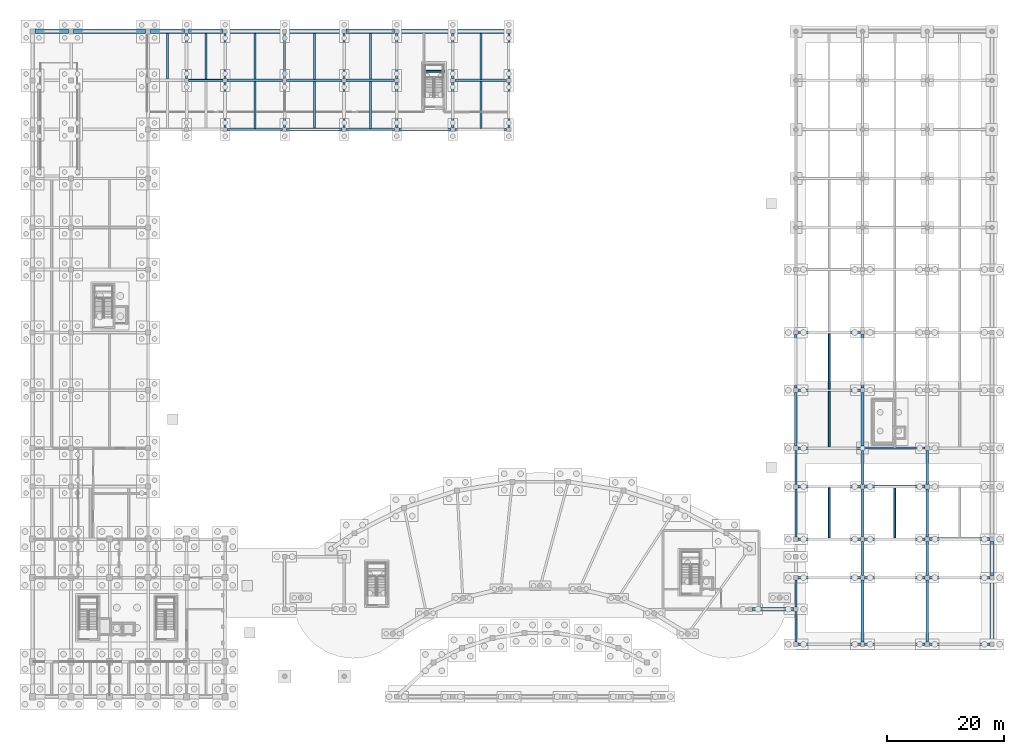
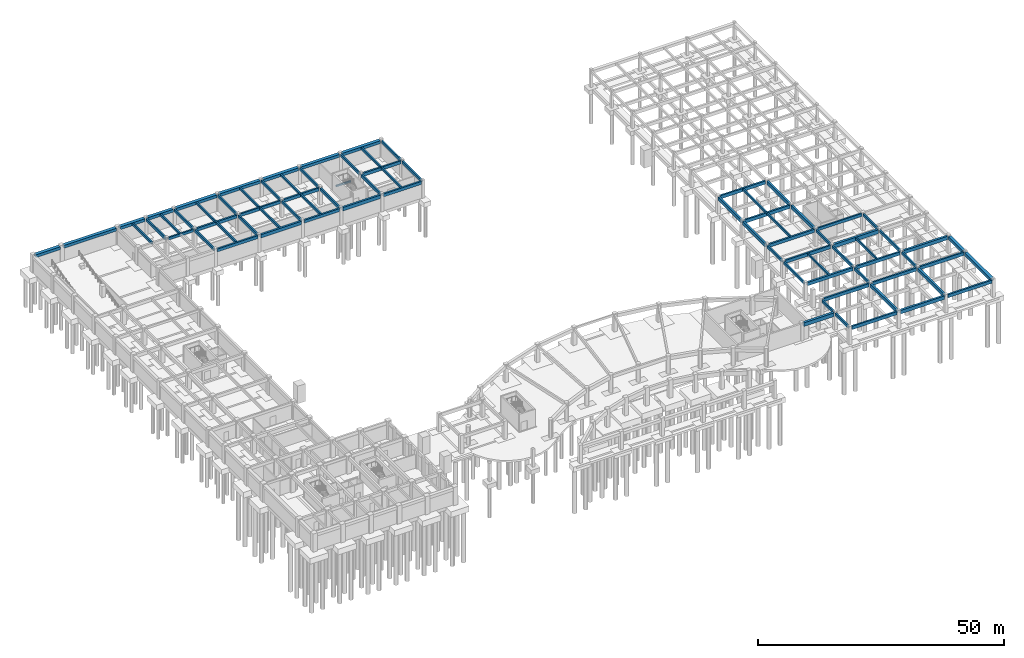
# One storey, part 12 of 28: 81 beams.
"""IFC4 building model written with IfcOpenShell, lengths in metres."""

from ifc_helpers import new_model, si_unit, direction, frame, origin, origin_2d, place, context, subcontext, project, spatial, rectangle, extrude, material, material_profile, profile_set, type_object, element, save


model = new_model("IFC4")

# Units and contexts
model_context = context("Model", 3, precision=1e-05, world=origin(), true_north=direction((0.0, 1.0)))
body_context = subcontext(model_context, "Body", "Model", "MODEL_VIEW")
ifc_project = project(units=[si_unit("LENGTHUNIT", "METRE"), si_unit("AREAUNIT", "SQUARE_METRE"), si_unit("VOLUMEUNIT", "CUBIC_METRE"), si_unit("PLANEANGLEUNIT", "RADIAN"), si_unit("MASSUNIT", "GRAM", prefix="KILO")], contexts=[model_context])

# Site, building, storey
site_placement = place(None, origin())
site = spatial("IfcSite", under=ifc_project, at=site_placement, CompositionType="ELEMENT")
building_placement = place(site_placement, origin())
building = spatial("IfcBuilding", under=site, at=building_placement, Name="Miralva Faculty of Natural Sciences", CompositionType="ELEMENT")
storey_placement = place(building_placement, frame((0.0, 0.0, -4.5)))
storey = spatial("IfcBuildingStorey", under=building, at=storey_placement, Name="B1", CompositionType="ELEMENT", Elevation=-4.5)

# Beams
ifc_material = material(Name="Concrete C40/50", Category="concrete")
ifc_material_profile_1 = material_profile(ifc_material, rectangle(XDim=0.449951171875, YDim=0.85009765625, at=origin_2d()), Name="RC 450x850")
ifc_profile_set_1 = profile_set([ifc_material_profile_1], Name="Concrete C40/50")
beam_type_1 = type_object("IfcBeamType", Name="BM-B01", PredefinedType="BEAM", material=ifc_profile_set_1)
for number, where, z_axis, x_axis, name in (
    (1, (133.800048828125, 45.97509765625, 3.794921875), (0.0, 1.0, 0.0), (-1.0, 0.0, 0.0), "Girder NS B1-176"),
    (2, (133.800048828125, 55.875, 3.794921875), (0.0, 1.0, 0.0), (-1.0, 0.0, 0.0), "Girder NS B1-177"),
):
    element("IfcBeam", number, at=place(storey_placement, frame(where, z_axis=z_axis, x_axis=x_axis)), inside=storey, type_object=beam_type_1, Name=name, PredefinedType="BEAM", context=body_context, shape_type="SweptSolid", body=[
        extrude(rectangle(XDim=0.449951171875, YDim=0.85009765625, at=origin_2d()), origin(), (0.0, 0.0, 1.0), 9.14990234375),
    ])
beam_1_placement = place(storey_placement, frame((145.199951171875, 12.375, 3.794921875), z_axis=(0.0, 1.0, 0.0), x_axis=(-1.0, 0.0, 0.0)))
element("IfcBeam", 3, at=beam_1_placement, inside=storey, type_object=beam_type_1, Name="Girder NS B1-184", PredefinedType="BEAM", context=body_context, shape_type="SweptSolid", body=[
    extrude(rectangle(XDim=0.449951171875, YDim=0.85009765625, at=origin_2d()), origin(), (0.0, 0.0, 1.0), 10.64990234375),
])
for number, where, z_axis, x_axis, name in (
    (4, (145.199951171875, 45.97509765625, 3.794921875), (0.0, 1.0, 0.0), (-1.0, 0.0, 0.0), "Girder NS B1-188"),
    (5, (145.199951171875, 55.875, 3.794921875), (0.0, 1.0, 0.0), (-1.0, 0.0, 0.0), "Girder NS B1-189"),
):
    element("IfcBeam", number, at=place(storey_placement, frame(where, z_axis=z_axis, x_axis=x_axis)), inside=storey, type_object=beam_type_1, Name=name, PredefinedType="BEAM", context=body_context, shape_type="SweptSolid", body=[
        extrude(rectangle(XDim=0.449951171875, YDim=0.85009765625, at=origin_2d()), origin(), (0.0, 0.0, 1.0), 9.14990234375),
    ])
beam_2_placement = place(storey_placement, frame((156.300048828125, 12.375, 3.794921875), z_axis=(0.0, 1.0, 0.0), x_axis=(-1.0, 0.0, 0.0)))
element("IfcBeam", 6, at=beam_2_placement, inside=storey, type_object=beam_type_1, Name="Girder NS B1-196", PredefinedType="BEAM", context=body_context, shape_type="SweptSolid", body=[
    extrude(rectangle(XDim=0.449951171875, YDim=0.85009765625, at=origin_2d()), origin(), (0.0, 0.0, 1.0), 10.64990234375),
])
ifc_material_profile_2 = material_profile(ifc_material, rectangle(XDim=0.39990234375, YDim=0.800048828125, at=origin_2d()), Name="RC 400x800")
ifc_profile_set_2 = profile_set([ifc_material_profile_2], Name="Concrete C40/50")
beam_type_2 = type_object("IfcBeamType", Name="BM-B02", PredefinedType="BEAM", material=ifc_profile_set_2)
beam_3_placement = place(storey_placement, frame((134.175048828125, 12.0, 3.820068359375), z_axis=(1.0, 0.0, 0.0), x_axis=(0.0, 1.0, 0.0)))
element("IfcBeam", 7, at=beam_3_placement, inside=storey, type_object=beam_type_2, Name="Girder EW B1-16", PredefinedType="BEAM", context=body_context, shape_type="SweptSolid", body=[
    extrude(rectangle(XDim=0.39990234375, YDim=0.800048828125, at=origin_2d()), origin(), (0.0, 0.0, 1.0), 10.64990234375),
])
beam_4_placement = place(storey_placement, frame((156.675048828125, 12.0, 3.820068359375), z_axis=(1.0, 0.0, 0.0), x_axis=(0.0, 1.0, 0.0)))
element("IfcBeam", 8, at=beam_4_placement, inside=storey, type_object=beam_type_2, Name="Girder EW B1-18", PredefinedType="BEAM", context=body_context, shape_type="SweptSolid", body=[
    extrude(rectangle(XDim=0.39990234375, YDim=0.800048828125, at=origin_2d()), origin(), (0.0, 0.0, 1.0), 10.349853515625),
])
beam_5_placement = place(storey_placement, frame((134.175048828125, 23.39990234375, 3.820068359375), z_axis=(1.0, 0.0, 0.0), x_axis=(0.0, 1.0, 0.0)))
element("IfcBeam", 9, at=beam_5_placement, inside=storey, type_object=beam_type_2, Name="Girder EW B1-28", PredefinedType="BEAM", context=body_context, shape_type="SweptSolid", body=[
    extrude(rectangle(XDim=0.39990234375, YDim=0.800048828125, at=origin_2d()), origin(), (0.0, 0.0, 1.0), 10.64990234375),
])
beam_6_placement = place(storey_placement, frame((156.675048828125, 23.39990234375, 3.820068359375), z_axis=(1.0, 0.0, 0.0), x_axis=(0.0, 1.0, 0.0)))
element("IfcBeam", 10, at=beam_6_placement, inside=storey, type_object=beam_type_2, Name="Girder EW B1-30", PredefinedType="BEAM", context=body_context, shape_type="SweptSolid", body=[
    extrude(rectangle(XDim=0.39990234375, YDim=0.800048828125, at=origin_2d()), origin(), (0.0, 0.0, 1.0), 10.349853515625),
])
beam_7_placement = place(storey_placement, frame((145.574951171875, 30.0, 3.820068359375), z_axis=(1.0, 0.0, 0.0), x_axis=(0.0, 1.0, 0.0)))
element("IfcBeam", 11, at=beam_7_placement, inside=storey, type_object=beam_type_2, Name="Girder EW B1-38", PredefinedType="BEAM", context=body_context, shape_type="SweptSolid", body=[
    extrude(rectangle(XDim=0.39990234375, YDim=0.800048828125, at=origin_2d()), origin(), (0.0, 0.0, 1.0), 10.35009765625),
])
for number, where, z_axis, x_axis, name in (
    (12, (134.175048828125, 39.0, 3.820068359375), (1.0, 0.0, 0.0), (0.0, 1.0, 0.0), "Girder EW B1-42"),
    (13, (134.175048828125, 45.60009765625, 3.820068359375), (1.0, 0.0, 0.0), (0.0, 1.0, 0.0), "Girder EW B1-48"),
    (14, (134.175048828125, 65.39990234375, 3.820068359375), (1.0, 0.0, 0.0), (0.0, 1.0, 0.0), "Girder EW B1-58"),
):
    element("IfcBeam", number, at=place(storey_placement, frame(where, z_axis=z_axis, x_axis=x_axis)), inside=storey, type_object=beam_type_2, Name=name, PredefinedType="BEAM", context=body_context, shape_type="SweptSolid", body=[
        extrude(rectangle(XDim=0.39990234375, YDim=0.800048828125, at=origin_2d()), origin(), (0.0, 0.0, 1.0), 10.64990234375),
    ])
ifc_material_profile_3 = material_profile(ifc_material, rectangle(XDim=0.39990234375, YDim=0.75, at=origin_2d()), Name="RC 400x750")
ifc_profile_set_3 = profile_set([ifc_material_profile_3], Name="Concrete C40/50")
beam_type_3 = type_object("IfcBeamType", Name="BM-B03", PredefinedType="BEAM", material=ifc_profile_set_3)
beam_8_placement = place(storey_placement, frame((36.35009765625, 100.199951171875, 3.804931640625), z_axis=(1.0, 0.0, 0.0), x_axis=(0.0, 1.0, 0.0)))
element("IfcBeam", 15, at=beam_8_placement, inside=storey, type_object=beam_type_3, Name="Girder EW B1-80", PredefinedType="BEAM", context=body_context, shape_type="SweptSolid", body=[
    extrude(rectangle(XDim=0.39990234375, YDim=0.75, at=origin_2d()), origin(), (0.0, 0.0, 1.0), 9.5),
])
beam_9_placement = place(storey_placement, frame((56.75, 100.199951171875, 3.804931640625), z_axis=(1.0, 0.0, 0.0), x_axis=(0.0, 1.0, 0.0)))
element("IfcBeam", 16, at=beam_9_placement, inside=storey, type_object=beam_type_3, Name="Girder EW B1-82", PredefinedType="BEAM", context=body_context, shape_type="SweptSolid", body=[
    extrude(rectangle(XDim=0.39990234375, YDim=0.75, at=origin_2d()), origin(), (0.0, 0.0, 1.0), 8.300048828125),
])
beam_10_placement = place(storey_placement, frame((75.35009765625, 100.199951171875, 3.804931640625), z_axis=(1.0, 0.0, 0.0), x_axis=(0.0, 1.0, 0.0)))
element("IfcBeam", 17, at=beam_10_placement, inside=storey, type_object=beam_type_3, Name="Girder EW B1-84", PredefinedType="BEAM", context=body_context, shape_type="SweptSolid", body=[
    extrude(rectangle(XDim=0.39990234375, YDim=0.75, at=origin_2d()), origin(), (0.0, 0.0, 1.0), 8.89990234375),
])
beam_11_placement = place(storey_placement, frame((36.35009765625, 108.60009765625, 3.804931640625), z_axis=(1.0, 0.0, 0.0), x_axis=(0.0, 1.0, 0.0)))
element("IfcBeam", 18, at=beam_11_placement, inside=storey, type_object=beam_type_3, Name="Girder EW B1-92", PredefinedType="BEAM", context=body_context, shape_type="SweptSolid", body=[
    extrude(rectangle(XDim=0.39990234375, YDim=0.75, at=origin_2d()), origin(), (0.0, 0.0, 1.0), 9.5),
])
beam_12_placement = place(storey_placement, frame((56.75, 108.60009765625, 3.804931640625), z_axis=(1.0, 0.0, 0.0), x_axis=(0.0, 1.0, 0.0)))
element("IfcBeam", 19, at=beam_12_placement, inside=storey, type_object=beam_type_3, Name="Girder EW B1-94", PredefinedType="BEAM", context=body_context, shape_type="SweptSolid", body=[
    extrude(rectangle(XDim=0.39990234375, YDim=0.75, at=origin_2d()), origin(), (0.0, 0.0, 1.0), 8.300048828125),
])
ifc_material_profile_4 = material_profile(ifc_material, rectangle(XDim=0.35009765625, YDim=0.64990234375, at=origin_2d()), Name="RC 350x650")
ifc_profile_set_4 = profile_set([ifc_material_profile_4], Name="Concrete C40/50")
beam_type_4 = type_object("IfcBeamType", Name="BM-B05", PredefinedType="BEAM", material=ifc_profile_set_4)
for number, where, z_axis, x_axis, name in (
    (20, (29.39990234375, 108.949951171875, 3.85498046875), (0.0, 1.0, 0.0), (-1.0, 0.0, 0.0), "Girder NS B1-154"),
    (21, (36.0, 100.550048828125, 3.85498046875), (0.0, 1.0, 0.0), (-1.0, 0.0, 0.0), "Girder NS B1-158"),
    (22, (36.0, 108.949951171875, 3.85498046875), (0.0, 1.0, 0.0), (-1.0, 0.0, 0.0), "Girder NS B1-159"),
    (23, (46.199951171875, 100.550048828125, 3.85498046875), (0.0, 1.0, 0.0), (-1.0, 0.0, 0.0), "Girder NS B1-161"),
    (24, (46.199951171875, 108.949951171875, 3.85498046875), (0.0, 1.0, 0.0), (-1.0, 0.0, 0.0), "Girder NS B1-162"),
    (25, (56.39990234375, 100.550048828125, 3.85498046875), (0.0, 1.0, 0.0), (-1.0, 0.0, 0.0), "Girder NS B1-164"),
    (26, (56.39990234375, 108.949951171875, 3.85498046875), (0.0, 1.0, 0.0), (-1.0, 0.0, 0.0), "Girder NS B1-165"),
    (27, (65.39990234375, 100.550048828125, 3.85498046875), (0.0, 1.0, 0.0), (-1.0, 0.0, 0.0), "Girder NS B1-166"),
    (28, (65.39990234375, 108.949951171875, 3.85498046875), (0.0, 1.0, 0.0), (-1.0, 0.0, 0.0), "Girder NS B1-167"),
    (29, (75.0, 100.550048828125, 3.85498046875), (0.0, 1.0, 0.0), (-1.0, 0.0, 0.0), "Girder NS B1-168"),
    (30, (75.0, 108.949951171875, 3.85498046875), (0.0, 1.0, 0.0), (-1.0, 0.0, 0.0), "Girder NS B1-169"),
    (31, (84.60009765625, 100.550048828125, 3.85498046875), (0.0, 1.0, 0.0), (-1.0, 0.0, 0.0), "Girder NS B1-170"),
    (32, (84.60009765625, 108.949951171875, 3.85498046875), (0.0, 1.0, 0.0), (-1.0, 0.0, 0.0), "Girder NS B1-171"),
):
    element("IfcBeam", number, at=place(storey_placement, frame(where, z_axis=z_axis, x_axis=x_axis)), inside=storey, type_object=beam_type_4, Name=name, PredefinedType="BEAM", context=body_context, shape_type="SweptSolid", body=[
        extrude(rectangle(XDim=0.35009765625, YDim=0.64990234375, at=origin_2d()), origin(), (0.0, 0.0, 1.0), 7.699951171875),
    ])
beam_13_placement = place(storey_placement, frame((133.800048828125, 12.375, 3.89501953125), z_axis=(0.0, 1.0, 0.0), x_axis=(-1.0, 0.0, 0.0)))
element("IfcBeam", 33, at=beam_13_placement, inside=storey, type_object=beam_type_4, Name="Girder NS B1-172", PredefinedType="BEAM", context=body_context, shape_type="SweptSolid", body=[
    extrude(rectangle(XDim=0.35009765625, YDim=0.64990234375, at=origin_2d()), origin(), (0.0, 0.0, 1.0), 5.25),
])
beam_14_placement = place(storey_placement, frame((133.800048828125, 18.375, 3.89501953125), z_axis=(0.0, 1.0, 0.0), x_axis=(-1.0, 0.0, 0.0)))
element("IfcBeam", 34, at=beam_14_placement, inside=storey, type_object=beam_type_4, Name="Girder NS B1-173", PredefinedType="BEAM", context=body_context, shape_type="SweptSolid", body=[
    extrude(rectangle(XDim=0.35009765625, YDim=0.64990234375, at=origin_2d()), origin(), (0.0, 0.0, 1.0), 4.64990234375),
])
beam_15_placement = place(storey_placement, frame((133.800048828125, 30.375, 3.89501953125), z_axis=(0.0, 1.0, 0.0), x_axis=(-1.0, 0.0, 0.0)))
element("IfcBeam", 35, at=beam_15_placement, inside=storey, type_object=beam_type_4, Name="Girder NS B1-174", PredefinedType="BEAM", context=body_context, shape_type="SweptSolid", body=[
    extrude(rectangle(XDim=0.35009765625, YDim=0.64990234375, at=origin_2d()), origin(), (0.0, 0.0, 1.0), 8.25),
])
for number, where, z_axis, x_axis, name in (
    (36, (133.800048828125, 39.375, 3.89501953125), (0.0, 1.0, 0.0), (-1.0, 0.0, 0.0), "Girder NS B1-175"),
    (37, (145.199951171875, 23.77490234375, 3.89501953125), (0.0, 1.0, 0.0), (-1.0, 0.0, 0.0), "Girder NS B1-185"),
):
    element("IfcBeam", number, at=place(storey_placement, frame(where, z_axis=z_axis, x_axis=x_axis)), inside=storey, type_object=beam_type_4, Name=name, PredefinedType="BEAM", context=body_context, shape_type="SweptSolid", body=[
        extrude(rectangle(XDim=0.35009765625, YDim=0.64990234375, at=origin_2d()), origin(), (0.0, 0.0, 1.0), 5.85009765625),
    ])
beam_16_placement = place(storey_placement, frame((145.199951171875, 30.375, 3.89501953125), z_axis=(0.0, 1.0, 0.0), x_axis=(-1.0, 0.0, 0.0)))
element("IfcBeam", 38, at=beam_16_placement, inside=storey, type_object=beam_type_4, Name="Girder NS B1-186", PredefinedType="BEAM", context=body_context, shape_type="SweptSolid", body=[
    extrude(rectangle(XDim=0.35009765625, YDim=0.64990234375, at=origin_2d()), origin(), (0.0, 0.0, 1.0), 8.25),
])
for number, where, z_axis, x_axis, name in (
    (39, (145.199951171875, 39.375, 3.89501953125), (0.0, 1.0, 0.0), (-1.0, 0.0, 0.0), "Girder NS B1-187"),
    (40, (156.300048828125, 23.77490234375, 3.89501953125), (0.0, 1.0, 0.0), (-1.0, 0.0, 0.0), "Girder NS B1-197"),
):
    element("IfcBeam", number, at=place(storey_placement, frame(where, z_axis=z_axis, x_axis=x_axis)), inside=storey, type_object=beam_type_4, Name=name, PredefinedType="BEAM", context=body_context, shape_type="SweptSolid", body=[
        extrude(rectangle(XDim=0.35009765625, YDim=0.64990234375, at=origin_2d()), origin(), (0.0, 0.0, 1.0), 5.85009765625),
    ])
beam_17_placement = place(storey_placement, frame((156.300048828125, 30.375, 3.89501953125), z_axis=(0.0, 1.0, 0.0), x_axis=(-1.0, 0.0, 0.0)))
element("IfcBeam", 41, at=beam_17_placement, inside=storey, type_object=beam_type_4, Name="Girder NS B1-198", PredefinedType="BEAM", context=body_context, shape_type="SweptSolid", body=[
    extrude(rectangle(XDim=0.35009765625, YDim=0.64990234375, at=origin_2d()), origin(), (0.0, 0.0, 1.0), 8.25),
])
beam_18_placement = place(storey_placement, frame((156.300048828125, 39.375, 3.89501953125), z_axis=(0.0, 1.0, 0.0), x_axis=(-1.0, 0.0, 0.0)))
element("IfcBeam", 42, at=beam_18_placement, inside=storey, type_object=beam_type_4, Name="Girder NS B1-199", PredefinedType="BEAM", context=body_context, shape_type="SweptSolid", body=[
    extrude(rectangle(XDim=0.35009765625, YDim=0.64990234375, at=origin_2d()), origin(), (0.0, 0.0, 1.0), 5.85009765625),
])
ifc_material_profile_5 = material_profile(ifc_material, rectangle(XDim=0.340087890625, YDim=0.6201171875, at=origin_2d()), Name="RC 340x620")
ifc_profile_set_5 = profile_set([ifc_material_profile_5], Name="Concrete C40/50")
beam_type_5 = type_object("IfcBeamType", Name="BM-BG03", PredefinedType="BEAM", material=ifc_profile_set_5)
beam_19_placement = place(storey_placement, frame((29.75, 108.60009765625, 3.8701171875), z_axis=(1.0, 0.0, 0.0), x_axis=(0.0, 1.0, 0.0)))
element("IfcBeam", 43, at=beam_19_placement, inside=storey, type_object=beam_type_5, Name="Girder EW B1-91", PredefinedType="BEAM", context=body_context, shape_type="SweptSolid", body=[
    extrude(rectangle(XDim=0.340087890625, YDim=0.6201171875, at=origin_2d()), origin(), (0.0, 0.0, 1.0), 5.89990234375),
])
ifc_material_profile_6 = material_profile(ifc_material, rectangle(XDim=0.360107421875, YDim=0.719970703125, at=origin_2d()), Name="RC 360x720")
ifc_profile_set_6 = profile_set([ifc_material_profile_6], Name="Concrete C40/50")
beam_type_6 = type_object("IfcBeamType", Name="BM-BG05", PredefinedType="BEAM", material=ifc_profile_set_6)
beam_20_placement = place(storey_placement, frame((145.574951171875, 45.60009765625, 3.860107421875), z_axis=(1.0, 0.0, 0.0), x_axis=(0.0, 1.0, 0.0)))
element("IfcBeam", 44, at=beam_20_placement, inside=storey, type_object=beam_type_6, Name="Girder EW B1-49", PredefinedType="BEAM", context=body_context, shape_type="SweptSolid", body=[
    extrude(rectangle(XDim=0.360107421875, YDim=0.719970703125, at=origin_2d()), origin(), (0.0, 0.0, 1.0), 10.35009765625),
])
beam_21_placement = place(storey_placement, frame((46.550048828125, 108.60009765625, 3.820068359375), z_axis=(1.0, 0.0, 0.0), x_axis=(0.0, 1.0, 0.0)))
element("IfcBeam", 45, at=beam_21_placement, inside=storey, type_object=beam_type_6, Name="Girder EW B1-93", PredefinedType="BEAM", context=body_context, shape_type="SweptSolid", body=[
    extrude(rectangle(XDim=0.360107421875, YDim=0.719970703125, at=origin_2d()), origin(), (0.0, 0.0, 1.0), 9.5),
])
ifc_material_profile_7 = material_profile(ifc_material, rectangle(XDim=0.3798828125, YDim=0.780029296875, at=origin_2d()), Name="RC 380x780")
ifc_profile_set_7 = profile_set([ifc_material_profile_7], Name="Concrete C40/50")
beam_type_7 = type_object("IfcBeamType", Name="BM-BG07", PredefinedType="BEAM", material=ifc_profile_set_7)
beam_22_placement = place(storey_placement, frame((145.574951171875, 23.39990234375, 3.830078125), z_axis=(1.0, 0.0, 0.0), x_axis=(0.0, 1.0, 0.0)))
element("IfcBeam", 46, at=beam_22_placement, inside=storey, type_object=beam_type_7, Name="Girder EW B1-29", PredefinedType="BEAM", context=body_context, shape_type="SweptSolid", body=[
    extrude(rectangle(XDim=0.3798828125, YDim=0.780029296875, at=origin_2d()), origin(), (0.0, 0.0, 1.0), 10.35009765625),
])
beam_23_placement = place(storey_placement, frame((75.35009765625, 108.60009765625, 3.7900390625), z_axis=(1.0, 0.0, 0.0), x_axis=(0.0, 1.0, 0.0)))
element("IfcBeam", 47, at=beam_23_placement, inside=storey, type_object=beam_type_7, Name="Girder EW B1-95", PredefinedType="BEAM", context=body_context, shape_type="SweptSolid", body=[
    extrude(rectangle(XDim=0.3798828125, YDim=0.780029296875, at=origin_2d()), origin(), (0.0, 0.0, 1.0), 8.89990234375),
])
ifc_material_profile_8 = material_profile(ifc_material, rectangle(XDim=0.39990234375, YDim=0.840087890625, at=origin_2d()), Name="RC 400x840")
ifc_profile_set_8 = profile_set([ifc_material_profile_8], Name="Concrete C40/50")
beam_type_8 = type_object("IfcBeamType", Name="BM-BG09", PredefinedType="BEAM", material=ifc_profile_set_8)
beam_24_placement = place(storey_placement, frame((134.175048828125, 55.5, 3.800048828125), z_axis=(1.0, 0.0, 0.0), x_axis=(0.0, 1.0, 0.0)))
element("IfcBeam", 48, at=beam_24_placement, inside=storey, type_object=beam_type_8, Name="Girder EW B1-53", PredefinedType="BEAM", context=body_context, shape_type="SweptSolid", body=[
    extrude(rectangle(XDim=0.39990234375, YDim=0.840087890625, at=origin_2d()), origin(), (0.0, 0.0, 1.0), 10.64990234375),
])
ifc_material_profile_9 = material_profile(ifc_material, rectangle(XDim=0.4599609375, YDim=0.820068359375, at=origin_2d()), Name="RC 460x820")
ifc_profile_set_9 = profile_set([ifc_material_profile_9], Name="Concrete C40/50")
beam_type_9 = type_object("IfcBeamType", Name="BM-BG15", PredefinedType="BEAM", material=ifc_profile_set_9)
beam_25_placement = place(storey_placement, frame((134.175048828125, 30.0, 3.81005859375), z_axis=(1.0, 0.0, 0.0), x_axis=(0.0, 1.0, 0.0)))
element("IfcBeam", 49, at=beam_25_placement, inside=storey, type_object=beam_type_9, Name="Girder EW B1-37", PredefinedType="BEAM", context=body_context, shape_type="SweptSolid", body=[
    extrude(rectangle(XDim=0.4599609375, YDim=0.820068359375, at=origin_2d()), origin(), (0.0, 0.0, 1.0), 10.64990234375),
])
beam_26_placement = place(storey_placement, frame((46.550048828125, 100.199951171875, 3.77001953125), z_axis=(1.0, 0.0, 0.0), x_axis=(0.0, 1.0, 0.0)))
element("IfcBeam", 50, at=beam_26_placement, inside=storey, type_object=beam_type_9, Name="Girder EW B1-81", PredefinedType="BEAM", context=body_context, shape_type="SweptSolid", body=[
    extrude(rectangle(XDim=0.4599609375, YDim=0.820068359375, at=origin_2d()), origin(), (0.0, 0.0, 1.0), 9.5),
])
ifc_material_profile_10 = material_profile(ifc_material, rectangle(XDim=0.47998046875, YDim=0.860107421875, at=origin_2d()), Name="RC 480x860")
ifc_profile_set_10 = profile_set([ifc_material_profile_10], Name="Concrete C40/50")
beam_type_10 = type_object("IfcBeamType", Name="BM-BG17", PredefinedType="BEAM", material=ifc_profile_set_10)
beam_27_placement = place(storey_placement, frame((145.574951171875, 12.0, 3.7900390625), z_axis=(1.0, 0.0, 0.0), x_axis=(0.0, 1.0, 0.0)))
element("IfcBeam", 51, at=beam_27_placement, inside=storey, type_object=beam_type_10, Name="Girder EW B1-17", PredefinedType="BEAM", context=body_context, shape_type="SweptSolid", body=[
    extrude(rectangle(XDim=0.47998046875, YDim=0.860107421875, at=origin_2d()), origin(), (0.0, 0.0, 1.0), 10.35009765625),
])
beam_28_placement = place(storey_placement, frame((156.675048828125, 30.0, 3.7900390625), z_axis=(1.0, 0.0, 0.0), x_axis=(0.0, 1.0, 0.0)))
element("IfcBeam", 52, at=beam_28_placement, inside=storey, type_object=beam_type_10, Name="Girder EW B1-39", PredefinedType="BEAM", context=body_context, shape_type="SweptSolid", body=[
    extrude(rectangle(XDim=0.47998046875, YDim=0.860107421875, at=origin_2d()), origin(), (0.0, 0.0, 1.0), 10.349853515625),
])
beam_29_placement = place(storey_placement, frame((65.75, 100.199951171875, 3.75), z_axis=(1.0, 0.0, 0.0), x_axis=(0.0, 1.0, 0.0)))
element("IfcBeam", 53, at=beam_29_placement, inside=storey, type_object=beam_type_10, Name="Girder EW B1-83", PredefinedType="BEAM", context=body_context, shape_type="SweptSolid", body=[
    extrude(rectangle(XDim=0.47998046875, YDim=0.860107421875, at=origin_2d()), origin(), (0.0, 0.0, 1.0), 8.89990234375),
])
ifc_material_profile_11 = material_profile(ifc_material, rectangle(XDim=0.5400390625, YDim=0.919921875, at=origin_2d()), Name="RC 540x920")
ifc_profile_set_11 = profile_set([ifc_material_profile_11], Name="Concrete C40/50")
beam_type_11 = type_object("IfcBeamType", Name="BM-BG21", PredefinedType="BEAM", material=ifc_profile_set_11)
beam_30_placement = place(storey_placement, frame((126.375, 18.0, 3.800048828125), z_axis=(1.0, 0.0, 0.0), x_axis=(0.0, 1.0, 0.0)))
element("IfcBeam", 54, at=beam_30_placement, inside=storey, type_object=beam_type_11, Name="Girder EW B1-21", PredefinedType="BEAM", context=body_context, shape_type="SweptSolid", body=[
    extrude(rectangle(XDim=0.5400390625, YDim=0.919921875, at=origin_2d()), origin(), (0.0, 0.0, 1.0), 7.050048828125),
])
beam_31_placement = place(storey_placement, frame((145.574951171875, 39.0, 3.760009765625), z_axis=(1.0, 0.0, 0.0), x_axis=(0.0, 1.0, 0.0)))
element("IfcBeam", 55, at=beam_31_placement, inside=storey, type_object=beam_type_11, Name="Girder EW B1-43", PredefinedType="BEAM", context=body_context, shape_type="SweptSolid", body=[
    extrude(rectangle(XDim=0.5400390625, YDim=0.919921875, at=origin_2d()), origin(), (0.0, 0.0, 1.0), 10.35009765625),
])
ifc_material_profile_12 = material_profile(ifc_material, rectangle(XDim=0.300048828125, YDim=0.550048828125, at=origin_2d()), Name="RC 300x550")
ifc_profile_set_12 = profile_set([ifc_material_profile_12], Name="Concrete C40/50")
beam_type_12 = type_object("IfcBeamType", Name="BM-J02", PredefinedType="JOIST", material=ifc_profile_set_12)
beam_32_placement = place(storey_placement, frame((139.5, 30.22998046875, 3.945068359375), z_axis=(0.0, 1.0, 0.0), x_axis=(-1.0, 0.0, 0.0)))
element("IfcBeam", 56, at=beam_32_placement, inside=storey, type_object=beam_type_12, Name="Floor joist B1-9", PredefinedType="JOIST", context=body_context, shape_type="SweptSolid", body=[
    extrude(rectangle(XDim=0.300048828125, YDim=0.550048828125, at=origin_2d()), origin(), (0.0, 0.0, 1.0), 8.570068359375),
])
beam_33_placement = place(storey_placement, frame((150.75, 30.199951171875, 3.945068359375), z_axis=(0.0, 1.0, 0.0), x_axis=(-1.0, 0.0, 0.0)))
element("IfcBeam", 57, at=beam_33_placement, inside=storey, type_object=beam_type_12, Name="Floor joist B1-10", PredefinedType="JOIST", context=body_context, shape_type="SweptSolid", body=[
    extrude(rectangle(XDim=0.300048828125, YDim=0.550048828125, at=origin_2d()), origin(), (0.0, 0.0, 1.0), 8.530029296875),
])
for number, where, z_axis, x_axis, name in (
    (58, (139.5, 45.800048828125, 3.945068359375), (0.0, 1.0, 0.0), (-1.0, 0.0, 0.0), "Floor joist B1-14"),
    (59, (139.5, 55.699951171875, 3.945068359375), (0.0, 1.0, 0.0), (-1.0, 0.0, 0.0), "Floor joist B1-19"),
):
    element("IfcBeam", number, at=place(storey_placement, frame(where, z_axis=z_axis, x_axis=x_axis)), inside=storey, type_object=beam_type_12, Name=name, PredefinedType="JOIST", context=body_context, shape_type="SweptSolid", body=[
        extrude(rectangle(XDim=0.300048828125, YDim=0.550048828125, at=origin_2d()), origin(), (0.0, 0.0, 1.0), 9.5),
    ])
ifc_material_profile_13 = material_profile(ifc_material, rectangle(XDim=0.35009765625, YDim=0.550048828125, at=origin_2d()), Name="RC 350x550")
ifc_profile_set_13 = profile_set([ifc_material_profile_13], Name="Concrete C40/50")
beam_type_13 = type_object("IfcBeamType", Name="BM-J04", PredefinedType="JOIST", material=ifc_profile_set_13)
beam_34_placement = place(storey_placement, frame((41.10009765625, 100.39990234375, 3.905029296875), z_axis=(0.0, 1.0, 0.0), x_axis=(-1.0, 0.0, 0.0)))
element("IfcBeam", 60, at=beam_34_placement, inside=storey, type_object=beam_type_13, Name="Floor joist B1-41", PredefinedType="JOIST", context=body_context, shape_type="SweptSolid", body=[
    extrude(rectangle(XDim=0.35009765625, YDim=0.550048828125, at=origin_2d()), origin(), (0.0, 0.0, 1.0), 8.0),
])
beam_35_placement = place(storey_placement, frame((51.300048828125, 100.429931640625, 3.905029296875), z_axis=(0.0, 1.0, 0.0), x_axis=(-1.0, 0.0, 0.0)))
element("IfcBeam", 61, at=beam_35_placement, inside=storey, type_object=beam_type_13, Name="Floor joist B1-42", PredefinedType="JOIST", context=body_context, shape_type="SweptSolid", body=[
    extrude(rectangle(XDim=0.35009765625, YDim=0.550048828125, at=origin_2d()), origin(), (0.0, 0.0, 1.0), 7.989990234375),
])
beam_36_placement = place(storey_placement, frame((60.89990234375, 100.39990234375, 3.905029296875), z_axis=(0.0, 1.0, 0.0), x_axis=(-1.0, 0.0, 0.0)))
element("IfcBeam", 62, at=beam_36_placement, inside=storey, type_object=beam_type_13, Name="Floor joist B1-43", PredefinedType="JOIST", context=body_context, shape_type="SweptSolid", body=[
    extrude(rectangle(XDim=0.35009765625, YDim=0.550048828125, at=origin_2d()), origin(), (0.0, 0.0, 1.0), 8.0),
])
beam_37_placement = place(storey_placement, frame((79.800048828125, 100.39990234375, 3.905029296875), z_axis=(0.0, 1.0, 0.0), x_axis=(-1.0, 0.0, 0.0)))
element("IfcBeam", 63, at=beam_37_placement, inside=storey, type_object=beam_type_13, Name="Floor joist B1-44", PredefinedType="JOIST", context=body_context, shape_type="SweptSolid", body=[
    extrude(rectangle(XDim=0.35009765625, YDim=0.550048828125, at=origin_2d()), origin(), (0.0, 0.0, 1.0), 8.010009765625),
])
beam_38_placement = place(storey_placement, frame((26.14990234375, 108.800048828125, 3.905029296875), z_axis=(0.0, 1.0, 0.0), x_axis=(-1.0, 0.0, 0.0)))
element("IfcBeam", 64, at=beam_38_placement, inside=storey, type_object=beam_type_13, Name="Floor joist B1-48", PredefinedType="JOIST", context=body_context, shape_type="SweptSolid", body=[
    extrude(rectangle(XDim=0.35009765625, YDim=0.550048828125, at=origin_2d()), origin(), (0.0, 0.0, 1.0), 7.824951171875),
])
beam_39_placement = place(storey_placement, frame((32.699951171875, 108.77001953125, 3.905029296875), z_axis=(0.0, 1.0, 0.0), x_axis=(-1.0, 0.0, 0.0)))
element("IfcBeam", 65, at=beam_39_placement, inside=storey, type_object=beam_type_13, Name="Floor joist B1-49", PredefinedType="JOIST", context=body_context, shape_type="SweptSolid", body=[
    extrude(rectangle(XDim=0.35009765625, YDim=0.550048828125, at=origin_2d()), origin(), (0.0, 0.0, 1.0), 7.85498046875),
])
beam_40_placement = place(storey_placement, frame((41.10009765625, 108.800048828125, 3.905029296875), z_axis=(0.0, 1.0, 0.0), x_axis=(-1.0, 0.0, 0.0)))
element("IfcBeam", 66, at=beam_40_placement, inside=storey, type_object=beam_type_13, Name="Floor joist B1-50", PredefinedType="JOIST", context=body_context, shape_type="SweptSolid", body=[
    extrude(rectangle(XDim=0.35009765625, YDim=0.550048828125, at=origin_2d()), origin(), (0.0, 0.0, 1.0), 7.824951171875),
])
beam_41_placement = place(storey_placement, frame((51.300048828125, 108.780029296875, 3.905029296875), z_axis=(0.0, 1.0, 0.0), x_axis=(-1.0, 0.0, 0.0)))
element("IfcBeam", 67, at=beam_41_placement, inside=storey, type_object=beam_type_13, Name="Floor joist B1-51", PredefinedType="JOIST", context=body_context, shape_type="SweptSolid", body=[
    extrude(rectangle(XDim=0.35009765625, YDim=0.550048828125, at=origin_2d()), origin(), (0.0, 0.0, 1.0), 7.844970703125),
])
beam_42_placement = place(storey_placement, frame((60.89990234375, 108.800048828125, 3.905029296875), z_axis=(0.0, 1.0, 0.0), x_axis=(-1.0, 0.0, 0.0)))
element("IfcBeam", 68, at=beam_42_placement, inside=storey, type_object=beam_type_13, Name="Floor joist B1-52", PredefinedType="JOIST", context=body_context, shape_type="SweptSolid", body=[
    extrude(rectangle(XDim=0.35009765625, YDim=0.550048828125, at=origin_2d()), origin(), (0.0, 0.0, 1.0), 7.824951171875),
])
beam_43_placement = place(storey_placement, frame((79.800048828125, 108.7900390625, 3.905029296875), z_axis=(0.0, 1.0, 0.0), x_axis=(-1.0, 0.0, 0.0)))
element("IfcBeam", 69, at=beam_43_placement, inside=storey, type_object=beam_type_13, Name="Floor joist B1-53", PredefinedType="JOIST", context=body_context, shape_type="SweptSolid", body=[
    extrude(rectangle(XDim=0.35009765625, YDim=0.550048828125, at=origin_2d()), origin(), (0.0, 0.0, 1.0), 7.8349609375),
])
ifc_material_profile_14 = material_profile(ifc_material, rectangle(XDim=0.300048828125, YDim=0.3798828125, at=origin_2d()), Name="RC 300x380")
ifc_profile_set_14 = profile_set([ifc_material_profile_14], Name="Concrete C40/50")
beam_type_14 = type_object("IfcBeamType", Name="BM-LND01", PredefinedType="BEAM", material=ifc_profile_set_14)
beam_44_placement = place(storey_placement, frame((70.050048828125, 110.155029296875, 1.8701171875), z_axis=(1.0, 0.0, 0.0), x_axis=(0.0, 1.0, 0.0)))
element("IfcBeam", 70, at=beam_44_placement, inside=storey, type_object=beam_type_14, Name="Stair Core C5 half-landing support beam B1", PredefinedType="BEAM", context=body_context, shape_type="SweptSolid", body=[
    extrude(rectangle(XDim=0.300048828125, YDim=0.3798828125, at=origin_2d()), origin(), (0.0, 0.0, 1.0), 3.449951171875),
])
ifc_material_profile_15 = material_profile(ifc_material, rectangle(XDim=0.75, YDim=0.699951171875, at=origin_2d()), Name="RC 750x700")
ifc_profile_set_15 = profile_set([ifc_material_profile_15], Name="Concrete C40/50")
beam_type_15 = type_object("IfcBeamType", Name="BM-SP01", PredefinedType="SPANDREL", material=ifc_profile_set_15)
beam_45_placement = place(storey_placement, frame((3.449951171875, 117.0, 3.830078125), z_axis=(1.0, 0.0, 0.0), x_axis=(0.0, 1.0, 0.0)))
element("IfcBeam", 71, at=beam_45_placement, inside=storey, type_object=beam_type_15, Name="Girder EW B1-99", PredefinedType="SPANDREL", context=body_context, shape_type="SweptSolid", body=[
    extrude(rectangle(XDim=0.75, YDim=0.699951171875, at=origin_2d()), origin(), (0.0, 0.0, 1.0), 5.699951171875),
])
beam_46_placement = place(storey_placement, frame((10.050048828125, 117.0, 3.830078125), z_axis=(1.0, 0.0, 0.0), x_axis=(0.0, 1.0, 0.0)))
element("IfcBeam", 72, at=beam_46_placement, inside=storey, type_object=beam_type_15, Name="Girder EW B1-100", PredefinedType="SPANDREL", context=body_context, shape_type="SweptSolid", body=[
    extrude(rectangle(XDim=0.75, YDim=0.699951171875, at=origin_2d()), origin(), (0.0, 0.0, 1.0), 12.300048828125),
])
beam_47_placement = place(storey_placement, frame((23.25, 117.0, 3.830078125), z_axis=(1.0, 0.0, 0.0), x_axis=(0.0, 1.0, 0.0)))
element("IfcBeam", 73, at=beam_47_placement, inside=storey, type_object=beam_type_15, Name="Girder EW B1-101", PredefinedType="SPANDREL", context=body_context, shape_type="SweptSolid", body=[
    extrude(rectangle(XDim=0.75, YDim=0.699951171875, at=origin_2d()), origin(), (0.0, 0.0, 1.0), 5.800048828125),
])
beam_48_placement = place(storey_placement, frame((29.75, 117.0, 3.830078125), z_axis=(1.0, 0.0, 0.0), x_axis=(0.0, 1.0, 0.0)))
element("IfcBeam", 74, at=beam_48_placement, inside=storey, type_object=beam_type_15, Name="Girder EW B1-102", PredefinedType="SPANDREL", context=body_context, shape_type="SweptSolid", body=[
    extrude(rectangle(XDim=0.75, YDim=0.699951171875, at=origin_2d()), origin(), (0.0, 0.0, 1.0), 5.89990234375),
])
for number, where, z_axis, x_axis, name in (
    (75, (36.35009765625, 117.0, 3.830078125), (1.0, 0.0, 0.0), (0.0, 1.0, 0.0), "Girder EW B1-103"),
    (76, (46.550048828125, 117.0, 3.830078125), (1.0, 0.0, 0.0), (0.0, 1.0, 0.0), "Girder EW B1-104"),
):
    element("IfcBeam", number, at=place(storey_placement, frame(where, z_axis=z_axis, x_axis=x_axis)), inside=storey, type_object=beam_type_15, Name=name, PredefinedType="SPANDREL", context=body_context, shape_type="SweptSolid", body=[
        extrude(rectangle(XDim=0.75, YDim=0.699951171875, at=origin_2d()), origin(), (0.0, 0.0, 1.0), 9.5),
    ])
beam_49_placement = place(storey_placement, frame((56.75, 117.0, 3.830078125), z_axis=(1.0, 0.0, 0.0), x_axis=(0.0, 1.0, 0.0)))
element("IfcBeam", 77, at=beam_49_placement, inside=storey, type_object=beam_type_15, Name="Girder EW B1-105", PredefinedType="SPANDREL", context=body_context, shape_type="SweptSolid", body=[
    extrude(rectangle(XDim=0.75, YDim=0.699951171875, at=origin_2d()), origin(), (0.0, 0.0, 1.0), 8.300048828125),
])
for number, where, z_axis, x_axis, name in (
    (78, (65.75, 117.0, 3.830078125), (1.0, 0.0, 0.0), (0.0, 1.0, 0.0), "Girder EW B1-106"),
    (79, (75.35009765625, 117.0, 3.830078125), (1.0, 0.0, 0.0), (0.0, 1.0, 0.0), "Girder EW B1-107"),
):
    element("IfcBeam", number, at=place(storey_placement, frame(where, z_axis=z_axis, x_axis=x_axis)), inside=storey, type_object=beam_type_15, Name=name, PredefinedType="SPANDREL", context=body_context, shape_type="SweptSolid", body=[
        extrude(rectangle(XDim=0.75, YDim=0.699951171875, at=origin_2d()), origin(), (0.0, 0.0, 1.0), 8.89990234375),
    ])
beam_50_placement = place(storey_placement, frame((167.39990234375, 12.375, 3.8701171875), z_axis=(0.0, 1.0, 0.0), x_axis=(-1.0, 0.0, 0.0)))
element("IfcBeam", 80, at=beam_50_placement, inside=storey, type_object=beam_type_15, Name="Girder NS B1-208", PredefinedType="SPANDREL", context=body_context, shape_type="SweptSolid", body=[
    extrude(rectangle(XDim=0.75, YDim=0.699951171875, at=origin_2d()), origin(), (0.0, 0.0, 1.0), 10.64990234375),
])
beam_51_placement = place(storey_placement, frame((167.39990234375, 23.77490234375, 3.8701171875), z_axis=(0.0, 1.0, 0.0), x_axis=(-1.0, 0.0, 0.0)))
element("IfcBeam", 81, at=beam_51_placement, inside=storey, type_object=beam_type_15, Name="Girder NS B1-209", PredefinedType="SPANDREL", context=body_context, shape_type="SweptSolid", body=[
    extrude(rectangle(XDim=0.75, YDim=0.699951171875, at=origin_2d()), origin(), (0.0, 0.0, 1.0), 5.85009765625),
])

save(model, "model.ifc")
